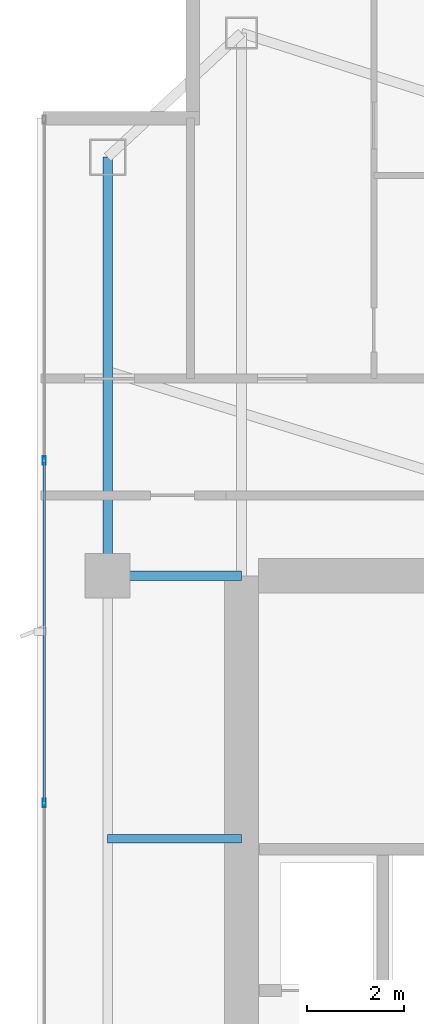
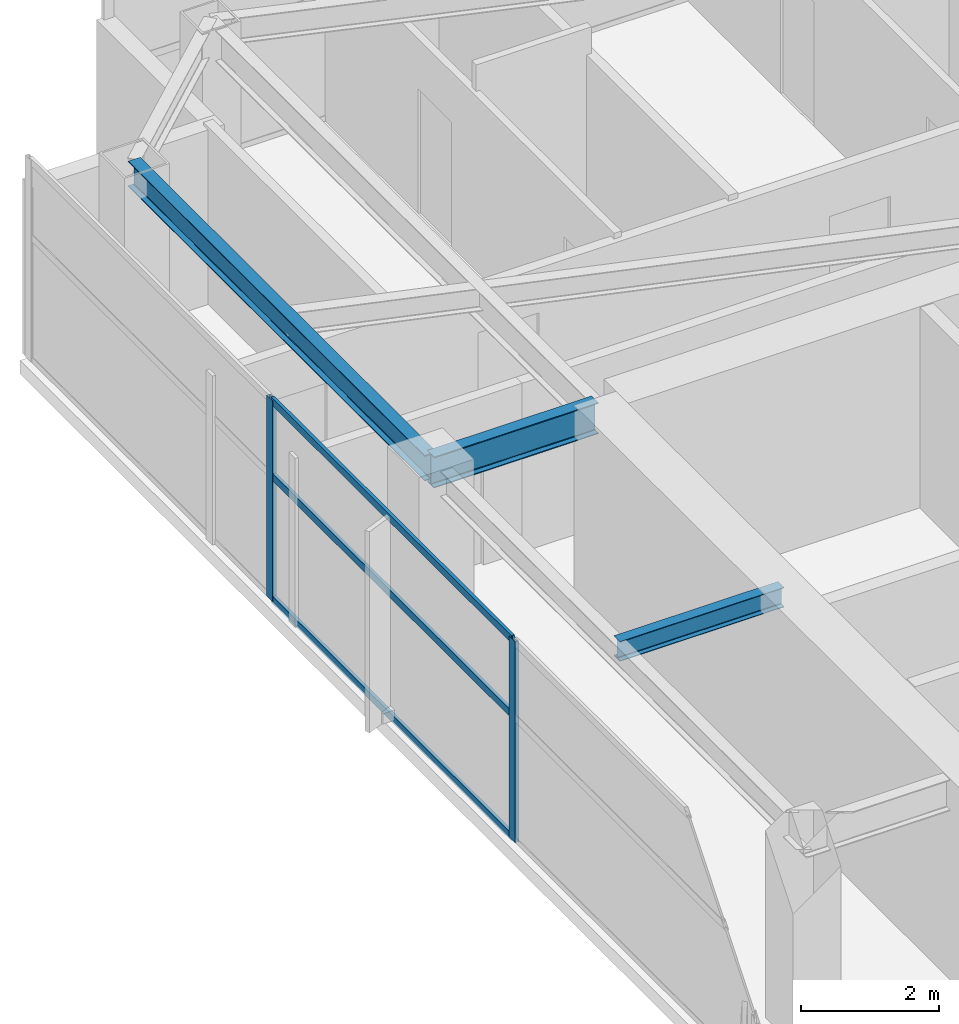
# One storey, part 16 of 29: 5 members, 3 beams, 1 element without a shape of its own.
"""IFC4 building model written with IfcOpenShell, lengths in metres."""

import ifcopenshell
import ifcopenshell.guid

model = None  # the IFC model being written
_history = None  # IfcOwnerHistory: only IFC2X3 demands one
_inside = {}  # id of a spatial element -> (the spatial element, [elements in it])
_under = {}  # id of a project, library or spatial element -> (it, [spatial elements below it])
_declared = {}  # id of a project -> (the project, [libraries it declares])
_typed = {}  # id of a type object -> (the type object, [elements of that type])
_made_of = {}  # id of a material, layer set ... -> (it, [elements and type objects made of it])


def new_model(schema):
    """Start an empty IFC model of exactly this schema.

    Asked for "IFC4X3", IfcOpenShell would pick the latest addendum, in which some entities
    have other attributes; the version numbers below select the first issue.
    IFC2X3 requires an IfcOwnerHistory on every rooted entity: one is made here for all.
    """
    global model, _history
    if schema == "IFC4X3":
        model = ifcopenshell.file(schema_version=(4, 3, 0, 0))
    else:
        model = ifcopenshell.file(schema=schema)
    _inside.clear()
    _under.clear()
    _declared.clear()
    _typed.clear()
    _made_of.clear()
    _history = None
    if model.schema == "IFC2X3":
        org = make("IfcOrganization", Name="unknown")
        user = make(
            "IfcPersonAndOrganization",
            ThePerson=make("IfcPerson", FamilyName="unknown"),
            TheOrganization=org,
        )
        app = make(
            "IfcApplication",
            ApplicationDeveloper=org,
            Version="unknown",
            ApplicationFullName="unknown",
            ApplicationIdentifier="unknown",
        )
        _history = make(
            "IfcOwnerHistory",
            OwningUser=user,
            OwningApplication=app,
            ChangeAction="ADDED",
            CreationDate=0,
        )
    return model


def make(cls, **values):
    """One entity of the class cls with the attributes given. An attribute that is None is left unset."""
    return model.create_entity(
        cls, **{name: value for name, value in values.items() if value is not None}
    )


def rooted(cls, **values):
    """An entity with a GlobalId (a new one), such as an element, a storey or a relation."""
    return make(cls, GlobalId=ifcopenshell.guid.new(), OwnerHistory=_history, **values)


def si_unit(unit_type, name, prefix=None):
    """IfcSIUnit, for example si_unit("LENGTHUNIT", "METRE", prefix="MILLI")."""
    return make("IfcSIUnit", UnitType=unit_type, Prefix=prefix, Name=name)


def assignment(units):
    """IfcUnitAssignment: the units of a project."""
    return None if units is None else make("IfcUnitAssignment", Units=units)


def point(xyz):
    """IfcCartesianPoint."""
    return None if xyz is None else make("IfcCartesianPoint", Coordinates=xyz)


def direction(xyz):
    """IfcDirection."""
    return None if xyz is None else make("IfcDirection", DirectionRatios=xyz)


def frame(location, z_axis=None, x_axis=None):
    """IfcAxis2Placement3D, a coordinate frame: its origin and axes. An axis left out is left unset."""
    return make(
        "IfcAxis2Placement3D",
        Location=point(location),
        Axis=direction(z_axis),
        RefDirection=direction(x_axis),
    )


def frame_2d(location, x_axis=None):
    """IfcAxis2Placement2D, a coordinate frame in the plane: its origin and x axis."""
    return make(
        "IfcAxis2Placement2D", Location=point(location), RefDirection=direction(x_axis)
    )


def origin():
    """The frame at (0, 0, 0) with its axes left unset."""
    return frame((0.0, 0.0, 0.0))


def origin_2d():
    """The frame at (0, 0) in the plane with its x axis left unset."""
    return frame_2d((0.0, 0.0))


def place(relative_to, where):
    """IfcLocalPlacement: puts the frame where relative to a parent placement (None: the world)."""
    return make(
        "IfcLocalPlacement", PlacementRelTo=relative_to, RelativePlacement=where
    )


def context(
    kind, dimensions, precision=None, world=None, true_north=None, identifier=None
):
    """IfcGeometricRepresentationContext, for example the 3D "Model" context."""
    return make(
        "IfcGeometricRepresentationContext",
        ContextIdentifier=identifier,
        ContextType=kind,
        CoordinateSpaceDimension=dimensions,
        Precision=precision,
        WorldCoordinateSystem=world,
        TrueNorth=true_north,
    )


def subcontext(parent, identifier, kind, view, scale=None):
    """IfcGeometricRepresentationSubContext, for example "Body" below "Model"."""
    return make(
        "IfcGeometricRepresentationSubContext",
        ContextIdentifier=identifier,
        ContextType=kind,
        ParentContext=parent,
        TargetScale=scale,
        TargetView=view,
    )


def project(units=None, contexts=None):
    """IfcProject with its units and contexts."""
    return rooted(
        "IfcProject",
        Name="project",
        RepresentationContexts=contexts,
        UnitsInContext=assignment(units),
    )


def spatial(cls, under=None, at=None, **own):
    """A site, building, storey or space (cls), placed at a placement, below another one or the project."""
    s = rooted(cls, ObjectPlacement=at, **own)
    if under is not None:
        _under.setdefault(under.id(), (under, []))[1].append(s)
    return s


def profile(cls, at=None, kind="AREA", **sizes):
    """A parametric profile (cls). Its sizes go by their IFC names, for example OverallWidth=200.0."""
    return make(cls, ProfileType=kind, Position=at, **sizes)


def hollow_rectangle(**sizes):
    """IfcRectangleHollowProfileDef."""
    return profile("IfcRectangleHollowProfileDef", **sizes)


def i_section(**sizes):
    """IfcIShapeProfileDef."""
    return profile("IfcIShapeProfileDef", **sizes)


def extrude(swept, where, along, depth):
    """IfcExtrudedAreaSolid: the profile swept, set in the frame where, extruded along a direction by depth."""
    return make(
        "IfcExtrudedAreaSolid",
        SweptArea=swept,
        Position=where,
        ExtrudedDirection=direction(along),
        Depth=depth,
    )


def shape(context_of_items, identifier, shape_type, items):
    """IfcShapeRepresentation: the items that make up one representation, for example the "Body"."""
    return make(
        "IfcShapeRepresentation",
        ContextOfItems=context_of_items,
        RepresentationIdentifier=identifier,
        RepresentationType=shape_type,
        Items=items,
    )


def material(Name=None, Category=None):
    """IfcMaterial."""
    return make("IfcMaterial", Name=Name, Category=Category)


def layer(
    of_material, thickness, ventilated=None, Name=None, Category=None, Priority=None
):
    """IfcMaterialLayer: one layer of a wall or slab, of a material (None: an air gap)."""
    return make(
        "IfcMaterialLayer",
        Material=of_material,
        LayerThickness=thickness,
        IsVentilated=ventilated,
        Name=Name,
        Category=Category,
        Priority=Priority,
    )


def layer_set(layers, Name=None):
    """IfcMaterialLayerSet."""
    return make("IfcMaterialLayerSet", MaterialLayers=layers, LayerSetName=Name)


def material_profile(
    of_material, cross_section, Name=None, Category=None, Priority=None
):
    """IfcMaterialProfile: a cross section and its material."""
    return make(
        "IfcMaterialProfile",
        Name=Name,
        Material=of_material,
        Profile=cross_section,
        Priority=Priority,
        Category=Category,
    )


def profile_set(profiles, Name=None, composite=None):
    """IfcMaterialProfileSet."""
    return make(
        "IfcMaterialProfileSet",
        Name=Name,
        MaterialProfiles=profiles,
        CompositeProfile=composite,
    )


def made_of(thing, what):
    """Note that an element or type object is made of a material, layer set ...; save() writes the relation."""
    if what is not None:
        _made_of.setdefault(what.id(), (what, []))[1].append(thing)
    return thing


def type_object(cls, material=None, **own):
    """A type object (cls), such as IfcWallType, which elements share."""
    return made_of(rooted(cls, **own), material)


def element(
    cls,
    number,
    at=None,
    inside=None,
    cuts=None,
    type_object=None,
    material=None,
    context=None,
    identifier="Body",
    shape_type=None,
    held_by="IfcProductDefinitionShape",
    body=None,
    shapes=None,
    **own,
):
    """One element of the class cls, such as IfcWall. Its Tag is "e" and its number.

    at: its placement. inside: the storey or other place that contains it. cuts: it is an
    opening in that element (IfcRelVoidsElement). A single representation is given by context,
    identifier, shape_type and body (its items); several are given by shapes. held_by: the class
    of the entity that holds the representations. save() writes the other relations.
    """
    e = rooted(cls, Tag="e%d" % number, ObjectPlacement=at, **own)
    if body is not None:
        shapes = [shape(context, identifier, shape_type, body)]
    if shapes is not None:
        e.Representation = make(held_by, Representations=shapes)
    if inside is not None:
        _inside.setdefault(inside.id(), (inside, []))[1].append(e)
    if cuts is not None:
        rooted(
            "IfcRelVoidsElement", RelatingBuildingElement=cuts, RelatedOpeningElement=e
        )
    if type_object is not None:
        _typed.setdefault(type_object.id(), (type_object, []))[1].append(e)
    return made_of(e, material)


def aggregate(whole, parts):
    """IfcRelAggregates: a whole, such as a stair, and the parts it consists of."""
    return rooted("IfcRelAggregates", RelatingObject=whole, RelatedObjects=parts)


def save(model, path):
    """Write the relations noted so far, then the file.

    IfcRelAggregates (storeys below a building ...), IfcRelContainedInSpatialStructure (elements
    in a storey), IfcRelDefinesByType, IfcRelAssociatesMaterial and IfcRelDeclares: one each for
    every whole, place, type object, material and project.
    """
    for whole, parts in _under.values():
        aggregate(whole, parts)
    for where, things in _inside.values():
        rooted(
            "IfcRelContainedInSpatialStructure",
            RelatedElements=things,
            RelatingStructure=where,
        )
    for kind, things in _typed.values():
        rooted("IfcRelDefinesByType", RelatedObjects=things, RelatingType=kind)
    for what, things in _made_of.values():
        rooted("IfcRelAssociatesMaterial", RelatedObjects=things, RelatingMaterial=what)
    for by, libraries in _declared.values():
        rooted("IfcRelDeclares", RelatingContext=by, RelatedDefinitions=libraries)
    model.write(path)


model = new_model("IFC4")

# Units and contexts
model_context = context("Model", 3, precision=1e-05, world=origin(), true_north=direction((0.0, 1.0)))
body_context = subcontext(model_context, "Body", "Model", "MODEL_VIEW")
ifc_project = project(units=[si_unit("LENGTHUNIT", "METRE"), si_unit("AREAUNIT", "SQUARE_METRE"), si_unit("VOLUMEUNIT", "CUBIC_METRE"), si_unit("PLANEANGLEUNIT", "RADIAN"), si_unit("MASSUNIT", "GRAM", prefix="KILO")], contexts=[model_context])

# Site, building, storey
site_placement = place(None, origin())
site = spatial("IfcSite", under=ifc_project, at=site_placement, CompositionType="ELEMENT")
building_placement = place(site_placement, origin())
building = spatial("IfcBuilding", under=site, at=building_placement, Name="Calvorn Quay Hotel", CompositionType="ELEMENT")
storey_placement = place(building_placement, frame((0.0, 0.0, 247.60009765625)))
storey = spatial("IfcBuildingStorey", under=building, at=storey_placement, Name="L61", CompositionType="ELEMENT", Elevation=247.60009765625)

# Beams
ifc_material_1 = material(Name="Steel Q355B", Category="steel")
ifc_material_profile_1 = material_profile(ifc_material_1, i_section(OverallWidth=0.199951171875, OverallDepth=0.550048828125, WebThickness=0.010009765625, FlangeThickness=0.01611328125, FilletRadius=0.01806640625, at=origin_2d()), Name="HN550x200x10x16")
ifc_profile_set_1 = profile_set([ifc_material_profile_1], Name="Steel Q355B")
beam_type_1 = type_object("IfcBeamType", Name="BM-GIRD-UPP", PredefinedType="BEAM", material=ifc_profile_set_1)
beam_1_placement = place(storey_placement, frame((1.449951171875, 38.39990234375, 3.264892578125), z_axis=(1.0, 0.0, 0.0), x_axis=(0.0, 1.0, 0.0)))
element("IfcBeam", 1, at=beam_1_placement, inside=storey, type_object=beam_type_1, Name="Beam BG-L61-W3", PredefinedType="BEAM", context=body_context, shape_type="SweptSolid", body=[
    extrude(i_section(OverallWidth=0.199951171875, OverallDepth=0.550048828125, WebThickness=0.010009765625, FlangeThickness=0.01611328125, FilletRadius=0.01806640625, at=origin_2d()), origin(), (0.0, 0.0, 1.0), 2.75),
])
ifc_material_2 = material(Name="Steel Q355B", Category="steel")
ifc_material_profile_2 = material_profile(ifc_material_2, i_section(OverallWidth=0.175048828125, OverallDepth=0.35009765625, WebThickness=0.007080078125, FlangeThickness=0.010986328125, FilletRadius=0.013916015625, at=origin_2d()), Name="HN350x175x7x11")
ifc_profile_set_2 = profile_set([ifc_material_profile_2], Name="Steel Q355B")
beam_type_2 = type_object("IfcBeamType", Name="BM-JOIST-SEC", PredefinedType="JOIST", material=ifc_profile_set_2)
beam_2_placement = place(storey_placement, frame((1.449951171875, 33.0, 3.364990234375), z_axis=(1.0, 0.0, 0.0), x_axis=(0.0, 1.0, 0.0)))
element("IfcBeam", 2, at=beam_2_placement, inside=storey, type_object=beam_type_2, Name="Beam BJ-L61-W4", PredefinedType="JOIST", context=body_context, shape_type="SweptSolid", body=[
    extrude(i_section(OverallWidth=0.175048828125, OverallDepth=0.35009765625, WebThickness=0.007080078125, FlangeThickness=0.010986328125, FilletRadius=0.013916015625, at=origin_2d()), origin(), (0.0, 0.0, 1.0), 2.75),
])
ifc_material_3 = material(Name="Steel Q355B", Category="steel")
ifc_material_profile_3 = material_profile(ifc_material_3, i_section(OverallWidth=0.199951171875, OverallDepth=0.449951171875, WebThickness=0.009033203125, FlangeThickness=0.013916015625, FilletRadius=0.01611328125, at=origin_2d()), Name="HN450x200x9x14")
ifc_profile_set_3 = profile_set([ifc_material_profile_3], Name="Steel Q355B")
beam_type_3 = type_object("IfcBeamType", Name="BM-SPANDREL-Z3", PredefinedType="SPANDREL", material=ifc_profile_set_3)
beam_3_placement = place(storey_placement, frame((1.449951171875, 38.39990234375, 3.31494140625), z_axis=(0.0, 1.0, 0.0), x_axis=(-1.0, 0.0, 0.0)))
element("IfcBeam", 3, at=beam_3_placement, inside=storey, type_object=beam_type_3, Name="Beam BSP-L61-W4", PredefinedType="SPANDREL", context=body_context, shape_type="SweptSolid", body=[
    extrude(i_section(OverallWidth=0.199951171875, OverallDepth=0.449951171875, WebThickness=0.009033203125, FlangeThickness=0.013916015625, FilletRadius=0.01611328125, at=origin_2d()), origin(), (0.0, 0.0, 1.0), 8.60009765625),
])

# Curtain wall, members
ifc_material_4 = material(Name="Champagne Bronze Anodised Aluminium and Low-E Glass", Category="aluminium")
ifc_layer = layer(ifc_material_4, 0.219970703125)
ifc_layer_set = layer_set([ifc_layer], Name="CW-SYS-Z4")
curtain_wall_type = type_object("IfcCurtainWallType", Name="CW-SYS-Z4", PredefinedType="NOTDEFINED", material=ifc_layer_set)
curtain_wall_placement = place(storey_placement, origin())
curtain_wall = element("IfcCurtainWall", 4, at=curtain_wall_placement, inside=storey, type_object=curtain_wall_type, Name="Tower West Curtain Wall (L61)", PredefinedType="NOTDEFINED")
ifc_material_5 = material(Name="Champagne Bronze Anodised Aluminium 6063-T6", Category="aluminium")
ifc_material_profile_4 = material_profile(ifc_material_5, hollow_rectangle(XDim=0.06494140625, YDim=0.169921875, WallThickness=0.00341796875, at=origin_2d()), Name="ALU-M170x65x3.5")
ifc_profile_set_4 = profile_set([ifc_material_profile_4], Name="Champagne Bronze Anodised Aluminium 6063-T6")
member_type_1 = type_object("IfcMemberType", Name="CW-SYS-Z4-MUL", PredefinedType="MULLION", material=ifc_profile_set_4)
member_1_placement = place(storey_placement, frame((0.14990234375, 33.7333984375, 0.0), z_axis=(0.0, 0.0, 1.0), x_axis=(-1.0, 0.0, 0.0)))
member_1 = element("IfcMember", 5, at=member_1_placement, type_object=member_type_1, Name="CW-L61-W mullion 5", PredefinedType="MULLION", context=body_context, shape_type="SweptSolid", body=[
    extrude(hollow_rectangle(XDim=0.06494140625, YDim=0.169921875, WallThickness=0.00341796875, at=origin_2d()), origin(), (0.0, 0.0, 1.0), 3.559814453125),
])
member_2_placement = place(storey_placement, frame((0.14990234375, 40.7666015625, 0.0), z_axis=(0.0, 0.0, 1.0), x_axis=(-1.0, 0.0, 0.0)))
member_2 = element("IfcMember", 6, at=member_2_placement, type_object=member_type_1, Name="CW-L61-W mullion 6", PredefinedType="MULLION", context=body_context, shape_type="SweptSolid", body=[
    extrude(hollow_rectangle(XDim=0.06494140625, YDim=0.169921875, WallThickness=0.00341796875, at=origin_2d()), origin(), (0.0, 0.0, 1.0), 3.559814453125),
])
ifc_material_6 = material(Name="Champagne Bronze Anodised Aluminium 6063-T6", Category="aluminium")
ifc_material_profile_5 = material_profile(ifc_material_6, hollow_rectangle(XDim=0.054931640625, YDim=0.1298828125, WallThickness=0.003173828125, at=origin_2d()), Name="ALU-T130x55x3.2")
ifc_profile_set_5 = profile_set([ifc_material_profile_5], Name="Champagne Bronze Anodised Aluminium 6063-T6")
member_type_2 = type_object("IfcMemberType", Name="CW-SYS-Z4-TRN", PredefinedType="USERDEFINED", material=ifc_profile_set_5)
member_3_placement = place(storey_placement, frame((0.14990234375, 33.763427734375, 0.02978515625), z_axis=(0.0, 1.0, 0.0), x_axis=(-1.0, 0.0, 0.0)))
member_3 = element("IfcMember", 7, at=member_3_placement, type_object=member_type_2, Name="CW-L61-W transom 5.1", ObjectType="TRANSOM", PredefinedType="USERDEFINED", context=body_context, shape_type="SweptSolid", body=[
    extrude(hollow_rectangle(XDim=0.054931640625, YDim=0.1298828125, WallThickness=0.003173828125, at=origin_2d()), origin(), (0.0, 0.0, 1.0), 6.97314453125),
])
member_4_placement = place(storey_placement, frame((0.14990234375, 33.763427734375, 2.199951171875), z_axis=(0.0, 1.0, 0.0), x_axis=(-1.0, 0.0, 0.0)))
member_4 = element("IfcMember", 8, at=member_4_placement, type_object=member_type_2, Name="CW-L61-W transom 5.2", ObjectType="TRANSOM", PredefinedType="USERDEFINED", context=body_context, shape_type="SweptSolid", body=[
    extrude(hollow_rectangle(XDim=0.054931640625, YDim=0.1298828125, WallThickness=0.003173828125, at=origin_2d()), origin(), (0.0, 0.0, 1.0), 6.97314453125),
])
member_5_placement = place(storey_placement, frame((0.14990234375, 33.763427734375, 3.52978515625), z_axis=(0.0, 1.0, 0.0), x_axis=(-1.0, 0.0, 0.0)))
member_5 = element("IfcMember", 9, at=member_5_placement, type_object=member_type_2, Name="CW-L61-W transom 5.3", ObjectType="TRANSOM", PredefinedType="USERDEFINED", context=body_context, shape_type="SweptSolid", body=[
    extrude(hollow_rectangle(XDim=0.054931640625, YDim=0.1298828125, WallThickness=0.003173828125, at=origin_2d()), origin(), (0.0, 0.0, 1.0), 6.97314453125),
])
aggregate(curtain_wall, [member_1, member_2, member_3, member_4, member_5])

save(model, "model.ifc")
